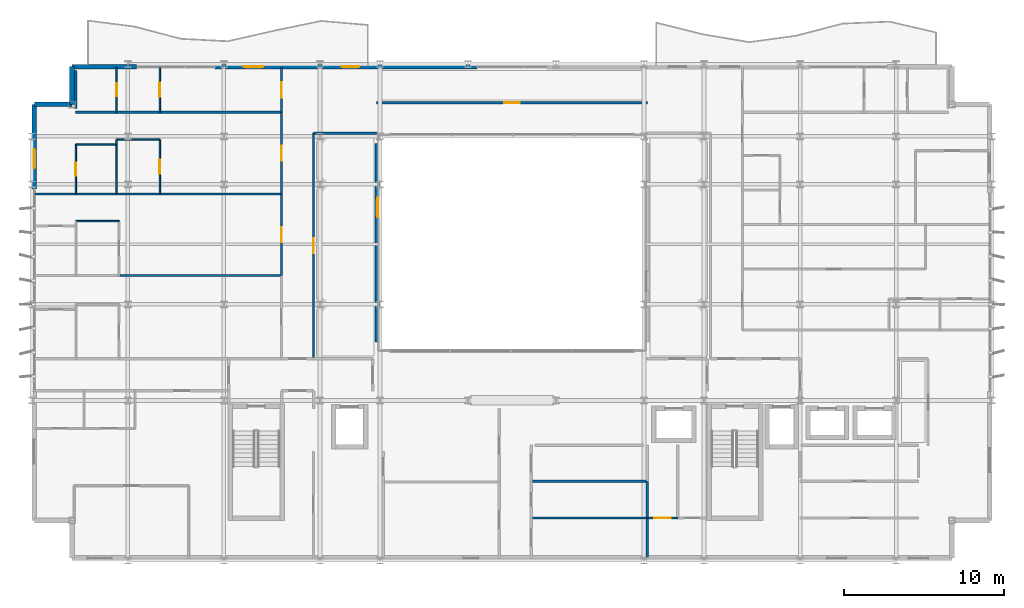
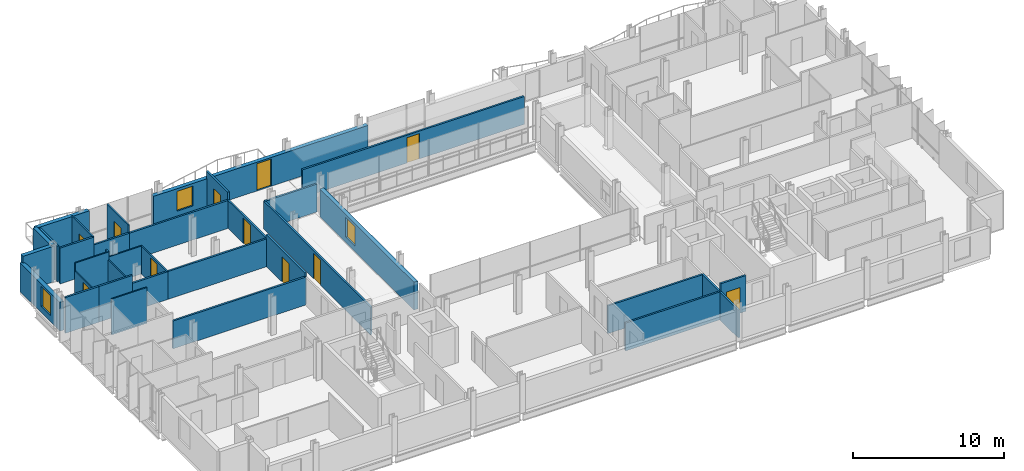
# One storey, part 31 of 39: 35 walls, 11 doors, 3 windows, 14 openings.
"""IFC4 building model written with IfcOpenShell, lengths in metres."""

import ifcopenshell
import ifcopenshell.guid

model = None  # the IFC model being written
_history = None  # IfcOwnerHistory: only IFC2X3 demands one
_inside = {}  # id of a spatial element -> (the spatial element, [elements in it])
_under = {}  # id of a project, library or spatial element -> (it, [spatial elements below it])
_declared = {}  # id of a project -> (the project, [libraries it declares])
_typed = {}  # id of a type object -> (the type object, [elements of that type])
_made_of = {}  # id of a material, layer set ... -> (it, [elements and type objects made of it])


def new_model(schema):
    """Start an empty IFC model of exactly this schema.

    Asked for "IFC4X3", IfcOpenShell would pick the latest addendum, in which some entities
    have other attributes; the version numbers below select the first issue.
    IFC2X3 requires an IfcOwnerHistory on every rooted entity: one is made here for all.
    """
    global model, _history
    if schema == "IFC4X3":
        model = ifcopenshell.file(schema_version=(4, 3, 0, 0))
    else:
        model = ifcopenshell.file(schema=schema)
    _inside.clear()
    _under.clear()
    _declared.clear()
    _typed.clear()
    _made_of.clear()
    _history = None
    if model.schema == "IFC2X3":
        org = make("IfcOrganization", Name="unknown")
        user = make(
            "IfcPersonAndOrganization",
            ThePerson=make("IfcPerson", FamilyName="unknown"),
            TheOrganization=org,
        )
        app = make(
            "IfcApplication",
            ApplicationDeveloper=org,
            Version="unknown",
            ApplicationFullName="unknown",
            ApplicationIdentifier="unknown",
        )
        _history = make(
            "IfcOwnerHistory",
            OwningUser=user,
            OwningApplication=app,
            ChangeAction="ADDED",
            CreationDate=0,
        )
    return model


def make(cls, **values):
    """One entity of the class cls with the attributes given. An attribute that is None is left unset."""
    return model.create_entity(
        cls, **{name: value for name, value in values.items() if value is not None}
    )


def rooted(cls, **values):
    """An entity with a GlobalId (a new one), such as an element, a storey or a relation."""
    return make(cls, GlobalId=ifcopenshell.guid.new(), OwnerHistory=_history, **values)


def si_unit(unit_type, name, prefix=None):
    """IfcSIUnit, for example si_unit("LENGTHUNIT", "METRE", prefix="MILLI")."""
    return make("IfcSIUnit", UnitType=unit_type, Prefix=prefix, Name=name)


def assignment(units):
    """IfcUnitAssignment: the units of a project."""
    return None if units is None else make("IfcUnitAssignment", Units=units)


def point(xyz):
    """IfcCartesianPoint."""
    return None if xyz is None else make("IfcCartesianPoint", Coordinates=xyz)


def direction(xyz):
    """IfcDirection."""
    return None if xyz is None else make("IfcDirection", DirectionRatios=xyz)


def frame(location, z_axis=None, x_axis=None):
    """IfcAxis2Placement3D, a coordinate frame: its origin and axes. An axis left out is left unset."""
    return make(
        "IfcAxis2Placement3D",
        Location=point(location),
        Axis=direction(z_axis),
        RefDirection=direction(x_axis),
    )


def frame_2d(location, x_axis=None):
    """IfcAxis2Placement2D, a coordinate frame in the plane: its origin and x axis."""
    return make(
        "IfcAxis2Placement2D", Location=point(location), RefDirection=direction(x_axis)
    )


def origin():
    """The frame at (0, 0, 0) with its axes left unset."""
    return frame((0.0, 0.0, 0.0))


def place(relative_to, where):
    """IfcLocalPlacement: puts the frame where relative to a parent placement (None: the world)."""
    return make(
        "IfcLocalPlacement", PlacementRelTo=relative_to, RelativePlacement=where
    )


def context(
    kind, dimensions, precision=None, world=None, true_north=None, identifier=None
):
    """IfcGeometricRepresentationContext, for example the 3D "Model" context."""
    return make(
        "IfcGeometricRepresentationContext",
        ContextIdentifier=identifier,
        ContextType=kind,
        CoordinateSpaceDimension=dimensions,
        Precision=precision,
        WorldCoordinateSystem=world,
        TrueNorth=true_north,
    )


def subcontext(parent, identifier, kind, view, scale=None):
    """IfcGeometricRepresentationSubContext, for example "Body" below "Model"."""
    return make(
        "IfcGeometricRepresentationSubContext",
        ContextIdentifier=identifier,
        ContextType=kind,
        ParentContext=parent,
        TargetScale=scale,
        TargetView=view,
    )


def project(units=None, contexts=None):
    """IfcProject with its units and contexts."""
    return rooted(
        "IfcProject",
        Name="project",
        RepresentationContexts=contexts,
        UnitsInContext=assignment(units),
    )


def spatial(cls, under=None, at=None, **own):
    """A site, building, storey or space (cls), placed at a placement, below another one or the project."""
    s = rooted(cls, ObjectPlacement=at, **own)
    if under is not None:
        _under.setdefault(under.id(), (under, []))[1].append(s)
    return s


def profile(cls, at=None, kind="AREA", **sizes):
    """A parametric profile (cls). Its sizes go by their IFC names, for example OverallWidth=200.0."""
    return make(cls, ProfileType=kind, Position=at, **sizes)


def rectangle(**sizes):
    """IfcRectangleProfileDef."""
    return profile("IfcRectangleProfileDef", **sizes)


def extrude(swept, where, along, depth):
    """IfcExtrudedAreaSolid: the profile swept, set in the frame where, extruded along a direction by depth."""
    return make(
        "IfcExtrudedAreaSolid",
        SweptArea=swept,
        Position=where,
        ExtrudedDirection=direction(along),
        Depth=depth,
    )


def shape(context_of_items, identifier, shape_type, items):
    """IfcShapeRepresentation: the items that make up one representation, for example the "Body"."""
    return make(
        "IfcShapeRepresentation",
        ContextOfItems=context_of_items,
        RepresentationIdentifier=identifier,
        RepresentationType=shape_type,
        Items=items,
    )


def material(Name=None, Category=None):
    """IfcMaterial."""
    return make("IfcMaterial", Name=Name, Category=Category)


def layer(
    of_material, thickness, ventilated=None, Name=None, Category=None, Priority=None
):
    """IfcMaterialLayer: one layer of a wall or slab, of a material (None: an air gap)."""
    return make(
        "IfcMaterialLayer",
        Material=of_material,
        LayerThickness=thickness,
        IsVentilated=ventilated,
        Name=Name,
        Category=Category,
        Priority=Priority,
    )


def layer_set(layers, Name=None):
    """IfcMaterialLayerSet."""
    return make("IfcMaterialLayerSet", MaterialLayers=layers, LayerSetName=Name)


def made_of(thing, what):
    """Note that an element or type object is made of a material, layer set ...; save() writes the relation."""
    if what is not None:
        _made_of.setdefault(what.id(), (what, []))[1].append(thing)
    return thing


def type_object(cls, material=None, **own):
    """A type object (cls), such as IfcWallType, which elements share."""
    return made_of(rooted(cls, **own), material)


def element(
    cls,
    number,
    at=None,
    inside=None,
    cuts=None,
    type_object=None,
    material=None,
    context=None,
    identifier="Body",
    shape_type=None,
    held_by="IfcProductDefinitionShape",
    body=None,
    shapes=None,
    **own,
):
    """One element of the class cls, such as IfcWall. Its Tag is "e" and its number.

    at: its placement. inside: the storey or other place that contains it. cuts: it is an
    opening in that element (IfcRelVoidsElement). A single representation is given by context,
    identifier, shape_type and body (its items); several are given by shapes. held_by: the class
    of the entity that holds the representations. save() writes the other relations.
    """
    e = rooted(cls, Tag="e%d" % number, ObjectPlacement=at, **own)
    if body is not None:
        shapes = [shape(context, identifier, shape_type, body)]
    if shapes is not None:
        e.Representation = make(held_by, Representations=shapes)
    if inside is not None:
        _inside.setdefault(inside.id(), (inside, []))[1].append(e)
    if cuts is not None:
        rooted(
            "IfcRelVoidsElement", RelatingBuildingElement=cuts, RelatedOpeningElement=e
        )
    if type_object is not None:
        _typed.setdefault(type_object.id(), (type_object, []))[1].append(e)
    return made_of(e, material)


def fill(opening, filler):
    """IfcRelFillsElement: the door or window that sits in an opening."""
    return rooted(
        "IfcRelFillsElement",
        RelatingOpeningElement=opening,
        RelatedBuildingElement=filler,
    )


def aggregate(whole, parts):
    """IfcRelAggregates: a whole, such as a stair, and the parts it consists of."""
    return rooted("IfcRelAggregates", RelatingObject=whole, RelatedObjects=parts)


def save(model, path):
    """Write the relations noted so far, then the file.

    IfcRelAggregates (storeys below a building ...), IfcRelContainedInSpatialStructure (elements
    in a storey), IfcRelDefinesByType, IfcRelAssociatesMaterial and IfcRelDeclares: one each for
    every whole, place, type object, material and project.
    """
    for whole, parts in _under.values():
        aggregate(whole, parts)
    for where, things in _inside.values():
        rooted(
            "IfcRelContainedInSpatialStructure",
            RelatedElements=things,
            RelatingStructure=where,
        )
    for kind, things in _typed.values():
        rooted("IfcRelDefinesByType", RelatedObjects=things, RelatingType=kind)
    for what, things in _made_of.values():
        rooted("IfcRelAssociatesMaterial", RelatedObjects=things, RelatingMaterial=what)
    for by, libraries in _declared.values():
        rooted("IfcRelDeclares", RelatingContext=by, RelatedDefinitions=libraries)
    model.write(path)


model = new_model("IFC4")

# Units and contexts
model_context = context("Model", 3, precision=1e-05, world=origin(), true_north=direction((0.0, 1.0)))
body_context = subcontext(model_context, "Body", "Model", "MODEL_VIEW")
ifc_project = project(units=[si_unit("LENGTHUNIT", "METRE"), si_unit("AREAUNIT", "SQUARE_METRE"), si_unit("VOLUMEUNIT", "CUBIC_METRE"), si_unit("PLANEANGLEUNIT", "RADIAN"), si_unit("MASSUNIT", "GRAM", prefix="KILO")], contexts=[model_context])

# Site, building, storey
site_placement = place(None, origin())
site = spatial("IfcSite", under=ifc_project, at=site_placement, CompositionType="ELEMENT")
building_placement = place(site_placement, origin())
building = spatial("IfcBuilding", under=site, at=building_placement, Name="Brevholm Reach", CompositionType="ELEMENT")
storey_placement = place(building_placement, frame((0.0, 0.0, 154.199951171875)))
storey = spatial("IfcBuildingStorey", under=building, at=storey_placement, Name="L46", CompositionType="ELEMENT", Elevation=154.199951171875)

# Walls
ifc_material_1 = material(Name="Concrete C40/50", Category="concrete")
ifc_layer_1 = layer(ifc_material_1, 0.300048828125)
ifc_layer_set_1 = layer_set([ifc_layer_1], Name="Concrete C40/50")
wall_type_1 = type_object("IfcWallType", Name="WAL-EXT-300", PredefinedType="STANDARD", material=ifc_layer_set_1)
for number, where, z_axis, x_axis, name in (
    (1, (2.5, 30.85009765625, 0.0), (0.0, 0.0, 1.0), (0.0, -1.0, 0.0), "L46 Facade Wall WAL-L46-CNW1"),
    (2, (2.5, 28.5, 0.0), (0.0, 0.0, 1.0), (-1.0, 0.0, 0.0), "L46 Facade Wall WAL-L46-CNW2"),
):
    element("IfcWall", number, at=place(storey_placement, frame(where, z_axis=z_axis, x_axis=x_axis)), inside=storey, type_object=wall_type_1, Name=name, PredefinedType="STANDARD", context=body_context, shape_type="SweptSolid", body=[
        extrude(rectangle(XDim=2.35009765625, YDim=0.300048828125, at=frame_2d((1.175048828125, 0.0))), origin(), (0.0, 0.0, 1.0), 2.880126953125),
    ])

# Wall, opening, window
wall_1_placement = place(storey_placement, frame((0.14990234375, 28.5, 0.0), z_axis=(0.0, 0.0, 1.0), x_axis=(0.0, -1.0, 0.0)))
wall_1 = element("IfcWall", 3, at=wall_1_placement, inside=storey, type_object=wall_type_1, Name="L46 Facade Wall WAL-L46-W-N", PredefinedType="STANDARD", context=body_context, shape_type="SweptSolid", body=[
    extrude(rectangle(XDim=5.280029296875, YDim=0.300048828125, at=frame_2d((2.64013671875, 0.0))), origin(), (0.0, 0.0, 1.0), 2.322021484375),
])
opening_1_placement = place(wall_1_placement, frame((2.800048828125, 0.0, 0.501953125)))
opening_1 = element("IfcOpeningElement", 4, at=opening_1_placement, cuts=wall_1, Name="Opening WN-08", PredefinedType="OPENING", context=body_context, shape_type="SweptSolid", body=[
    extrude(rectangle(XDim=1.199951171875, YDim=1.60009765625, at=frame_2d((0.60009765625, 0.800048828125))), frame((0.0, 0.159912109375, 0.0), z_axis=(0.0, -1.0, 0.0), x_axis=(1.0, 0.0, 0.0)), (0.0, 0.0, 1.0), 0.320068359375),
])
ifc_material_2 = material(Name="Dark Anodised Aluminium and Solar-Control IGU Glass", Category="aluminium")
window_type = type_object("IfcWindowType", Name="WIN-RES-1200", PartitioningType="SINGLE_PANEL", PredefinedType="WINDOW", material=ifc_material_2)
window_1_placement = place(opening_1_placement, origin())
window_1 = element("IfcWindow", 5, at=window_1_placement, inside=storey, type_object=window_type, Name="L46 Window WIN-L46-WN-1", OverallHeight=1.60009765625, OverallWidth=1.199951171875, PartitioningType="SINGLE_PANEL", PredefinedType="WINDOW", context=body_context, shape_type="SweptSolid", body=[
    extrude(rectangle(XDim=1.199951171875, YDim=1.60009765625, at=frame_2d((0.60009765625, 0.800048828125))), frame((0.0, 0.030029296875, 0.0), z_axis=(0.0, -1.0, 0.0), x_axis=(1.0, 0.0, 0.0)), (0.0, 0.0, 1.0), 0.06005859375),
])
fill(opening_1, window_1)

# Wall
wall_2_placement = place(storey_placement, frame((2.5, 30.85009765625, 0.0), z_axis=(0.0, 0.0, 1.0), x_axis=(1.0, 0.0, 0.0)))
element("IfcWall", 6, at=wall_2_placement, inside=storey, type_object=wall_type_1, Name="L46 Facade Wall WAL-L46-NP-W0", PredefinedType="STANDARD", context=body_context, shape_type="SweptSolid", body=[
    extrude(rectangle(XDim=4.050048828125, YDim=0.300048828125, at=frame_2d((2.02490234375, 0.0))), origin(), (0.0, 0.0, 1.0), 2.880126953125),
])

# Wall, openings, door, window
wall_3_placement = place(storey_placement, frame((11.449951171875, 30.85009765625, 0.0), z_axis=(0.0, 0.0, 1.0), x_axis=(1.0, 0.0, 0.0)))
wall_3 = element("IfcWall", 7, at=wall_3_placement, inside=storey, type_object=wall_type_1, Name="L46 Facade Wall WAL-L46-NP-WL", PredefinedType="STANDARD", context=body_context, shape_type="SweptSolid", body=[
    extrude(rectangle(XDim=16.35009765625, YDim=0.300048828125, at=frame_2d((8.175048828125, 0.0))), origin(), (0.0, 0.0, 1.0), 2.322021484375),
])
opening_2_placement = place(wall_3_placement, frame((7.89794921875, 0.0, 0.0)))
opening_2 = element("IfcOpeningElement", 8, at=opening_2_placement, cuts=wall_3, Name="Opening BD-01", PredefinedType="OPENING", context=body_context, shape_type="SweptSolid", body=[
    extrude(rectangle(XDim=1.10009765625, YDim=2.199951171875, at=frame_2d((0.550048828125, 1.10009765625))), frame((0.0, 0.159912109375, 0.0), z_axis=(0.0, -1.0, 0.0), x_axis=(1.0, 0.0, 0.0)), (0.0, 0.0, 1.0), 0.320068359375),
])
opening_3_placement = place(wall_3_placement, frame((1.800048828125, 0.0, 0.501953125)))
opening_3 = element("IfcOpeningElement", 9, at=opening_3_placement, cuts=wall_3, Name="Opening WN-08", PredefinedType="OPENING", context=body_context, shape_type="SweptSolid", body=[
    extrude(rectangle(XDim=1.199951171875, YDim=1.60009765625, at=frame_2d((0.60009765625, 0.800048828125))), frame((0.0, 0.159912109375, 0.0), z_axis=(0.0, -1.0, 0.0), x_axis=(1.0, 0.0, 0.0)), (0.0, 0.0, 1.0), 0.320068359375),
])
ifc_material_3 = material(Name="Dark Anodised Aluminium and Triple-Glazed Glass", Category="aluminium")
door_type_1 = type_object("IfcDoorType", Name="DOR-BALC-1100", OperationType="NOTDEFINED", PredefinedType="DOOR", material=ifc_material_3)
door_1_placement = place(opening_2_placement, origin())
door_1 = element("IfcDoor", 10, at=door_1_placement, inside=storey, type_object=door_type_1, Name="L46 Exterior Door DOR-L46-BL-NW", OperationType="SINGLE_SWING_RIGHT", OverallHeight=2.199951171875, OverallWidth=1.10009765625, PredefinedType="DOOR", context=body_context, shape_type="SweptSolid", body=[
    extrude(rectangle(XDim=1.10009765625, YDim=2.199951171875, at=frame_2d((0.550048828125, 1.10009765625))), frame((0.0, 0.02490234375, 0.0), z_axis=(0.0, -1.0, 0.0), x_axis=(1.0, 0.0, 0.0)), (0.0, 0.0, 1.0), 0.050048828125),
])
fill(opening_2, door_1)
window_2_placement = place(opening_3_placement, origin())
window_2 = element("IfcWindow", 11, at=window_2_placement, inside=storey, type_object=window_type, Name="L46 Window WIN-L46-NP-WL1", OverallHeight=1.60009765625, OverallWidth=1.199951171875, PartitioningType="SINGLE_PANEL", PredefinedType="WINDOW", context=body_context, shape_type="SweptSolid", body=[
    extrude(rectangle(XDim=1.199951171875, YDim=1.60009765625, at=frame_2d((0.60009765625, 0.800048828125))), frame((0.0, 0.030029296875, 0.0), z_axis=(0.0, -1.0, 0.0), x_axis=(1.0, 0.0, 0.0)), (0.0, 0.0, 1.0), 0.06005859375),
])
fill(opening_3, window_2)

# Wall, opening, window
wall_4_placement = place(storey_placement, frame((21.60009765625, 26.050048828125, 0.0), z_axis=(0.0, 0.0, 1.0), x_axis=(0.0, -1.0, 0.0)))
wall_4 = element("IfcWall", 12, at=wall_4_placement, inside=storey, type_object=wall_type_1, Name="L46 Facade Wall WAL-L46-AT-W", PredefinedType="STANDARD", context=body_context, shape_type="SweptSolid", body=[
    extrude(rectangle(XDim=12.400146484375, YDim=0.300048828125, at=frame_2d((6.2001953125, 0.0))), origin(), (0.0, 0.0, 1.0), 2.242919921875),
])
opening_4_placement = place(wall_4_placement, frame((3.39990234375, 0.0, 0.423095703125)))
opening_4 = element("IfcOpeningElement", 13, at=opening_4_placement, cuts=wall_4, Name="Opening WN-08", PredefinedType="OPENING", context=body_context, shape_type="SweptSolid", body=[
    extrude(rectangle(XDim=1.199951171875, YDim=1.60009765625, at=frame_2d((0.60009765625, 0.800048828125))), frame((0.0, 0.159912109375, 0.0), z_axis=(0.0, -1.0, 0.0), x_axis=(1.0, 0.0, 0.0)), (0.0, 0.0, 1.0), 0.320068359375),
])
window_3_placement = place(opening_4_placement, origin())
window_3 = element("IfcWindow", 14, at=window_3_placement, inside=storey, type_object=window_type, Name="L46 Window WIN-L46-AT-W1", OverallHeight=1.60009765625, OverallWidth=1.199951171875, PartitioningType="SINGLE_PANEL", PredefinedType="WINDOW", context=body_context, shape_type="SweptSolid", body=[
    extrude(rectangle(XDim=1.199951171875, YDim=1.60009765625, at=frame_2d((0.60009765625, 0.800048828125))), frame((0.0, 0.030029296875, 0.0), z_axis=(0.0, -1.0, 0.0), x_axis=(1.0, 0.0, 0.0)), (0.0, 0.0, 1.0), 0.06005859375),
])
fill(opening_4, window_3)

# Walls
ifc_material_4 = material(Name="Moisture-Resistant Acoustic Gypsum Stud Partition 100 mm", Category="gypsum")
ifc_layer_2 = layer(ifc_material_4, 0.10009765625)
ifc_layer_set_2 = layer_set([ifc_layer_2], Name="Moisture-Resistant Acoustic Gypsum Stud Partition 100 mm")
wall_type_2 = type_object("IfcWallType", Name="WAL-PRT-100", PredefinedType="PARTITIONING", material=ifc_layer_set_2)
wall_5_placement = place(storey_placement, frame((2.75, 21.199951171875, 0.0), z_axis=(0.0, 0.0, 1.0), x_axis=(1.0, 0.0, 0.0)))
element("IfcWall", 15, at=wall_5_placement, inside=storey, type_object=wall_type_2, Name="L46 Internal Partition 080", PredefinedType="PARTITIONING", context=body_context, shape_type="SweptSolid", body=[
    extrude(rectangle(XDim=2.699951171875, YDim=0.10009765625, at=frame_2d((1.35009765625, 0.0))), origin(), (0.0, 0.0, 1.0), 2.880126953125),
])
wall_6_placement = place(storey_placement, frame((5.300048828125, 22.904052734375, 0.0), z_axis=(0.0, 0.0, 1.0), x_axis=(0.0, 1.0, 0.0)))
element("IfcWall", 16, at=wall_6_placement, inside=storey, type_object=wall_type_2, Name="L46 Internal Partition 086", PredefinedType="PARTITIONING", context=body_context, shape_type="SweptSolid", body=[
    extrude(rectangle(XDim=3.095947265625, YDim=0.10009765625, at=frame_2d((1.5478515625, 0.0))), origin(), (0.0, 0.0, 1.0), 2.242919921875),
])
wall_7_placement = place(storey_placement, frame((2.75, 26.0, 0.0), z_axis=(0.0, 0.0, 1.0), x_axis=(1.0, 0.0, 0.0)))
element("IfcWall", 17, at=wall_7_placement, inside=storey, type_object=wall_type_2, Name="L46 Internal Partition 087", PredefinedType="PARTITIONING", context=body_context, shape_type="SweptSolid", body=[
    extrude(rectangle(XDim=2.550048828125, YDim=0.10009765625, at=frame_2d((1.27490234375, 0.0))), origin(), (0.0, 0.0, 1.0), 2.880126953125),
])

# Wall, opening, door
wall_8_placement = place(storey_placement, frame((2.75, 22.904052734375, 0.0), z_axis=(0.0, 0.0, 1.0), x_axis=(0.0, 1.0, 0.0)))
wall_8 = element("IfcWall", 18, at=wall_8_placement, inside=storey, type_object=wall_type_2, Name="L46 Internal Partition 088", PredefinedType="PARTITIONING", context=body_context, shape_type="SweptSolid", body=[
    extrude(rectangle(XDim=3.095947265625, YDim=0.10009765625, at=frame_2d((1.5478515625, 0.0))), origin(), (0.0, 0.0, 1.0), 2.242919921875),
])
opening_5_placement = place(wall_8_placement, frame((1.137939453125, 0.0, 0.0)))
opening_5 = element("IfcOpeningElement", 19, at=opening_5_placement, cuts=wall_8, Name="Opening ID-03", PredefinedType="OPENING", context=body_context, shape_type="SweptSolid", body=[
    extrude(rectangle(XDim=0.820068359375, YDim=2.02001953125, at=frame_2d((0.41015625, 1.010009765625))), frame((0.0, 0.06005859375, 0.0), z_axis=(0.0, -1.0, 0.0), x_axis=(1.0, 0.0, 0.0)), (0.0, 0.0, 1.0), 0.1201171875),
])
ifc_material_5 = material(Name="Moisture-Resistant Painted Timber Internal Bathroom Door", Category="wood")
door_type_2 = type_object("IfcDoorType", Name="DOR-BATH-820", OperationType="NOTDEFINED", PredefinedType="DOOR", material=ifc_material_5)
door_2_placement = place(opening_5_placement, origin())
door_2 = element("IfcDoor", 20, at=door_2_placement, inside=storey, type_object=door_type_2, Name="L46 Internal Door 038", OperationType="SINGLE_SWING_RIGHT", OverallHeight=2.02001953125, OverallWidth=0.820068359375, PredefinedType="DOOR", context=body_context, shape_type="SweptSolid", body=[
    extrude(rectangle(XDim=0.820068359375, YDim=2.02001953125, at=frame_2d((0.41015625, 1.010009765625))), frame((0.0, 0.02490234375, 0.0), z_axis=(0.0, -1.0, 0.0), x_axis=(1.0, 0.0, 0.0)), (0.0, 0.0, 1.0), 0.050048828125),
])
fill(opening_5, door_2)

wall_9_placement = place(storey_placement, frame((8.0, 22.904052734375, 0.0), z_axis=(0.0, 0.0, 1.0), x_axis=(0.0, 1.0, 0.0)))
wall_9 = element("IfcWall", 21, at=wall_9_placement, inside=storey, type_object=wall_type_2, Name="L46 Internal Partition 089", PredefinedType="PARTITIONING", context=body_context, shape_type="SweptSolid", body=[
    extrude(rectangle(XDim=3.39599609375, YDim=0.10009765625, at=frame_2d((1.697998046875, 0.0))), origin(), (0.0, 0.0, 1.0), 2.242919921875),
])
opening_6_placement = place(wall_9_placement, frame((1.258056640625, 0.0, 0.0)))
opening_6 = element("IfcOpeningElement", 22, at=opening_6_placement, cuts=wall_9, Name="Opening ID-01", PredefinedType="OPENING", context=body_context, shape_type="SweptSolid", body=[
    extrude(rectangle(XDim=0.8798828125, YDim=2.0400390625, at=frame_2d((0.43994140625, 1.02001953125))), frame((0.0, 0.06005859375, 0.0), z_axis=(0.0, -1.0, 0.0), x_axis=(1.0, 0.0, 0.0)), (0.0, 0.0, 1.0), 0.1201171875),
])
ifc_material_6 = material(Name="Lacquered Ash Solid-Core Acoustic Internal Door", Category="timber")
door_type_3 = type_object("IfcDoorType", Name="DOR-INT-880", OperationType="NOTDEFINED", PredefinedType="DOOR", material=ifc_material_6)
door_3_placement = place(opening_6_placement, origin())
door_3 = element("IfcDoor", 23, at=door_3_placement, inside=storey, type_object=door_type_3, Name="L46 Internal Door 039", OperationType="SINGLE_SWING_LEFT", OverallHeight=2.0400390625, OverallWidth=0.8798828125, PredefinedType="DOOR", context=body_context, shape_type="SweptSolid", body=[
    extrude(rectangle(XDim=0.8798828125, YDim=2.0400390625, at=frame_2d((0.43994140625, 1.02001953125))), frame((0.0, 0.02490234375, 0.0), z_axis=(0.0, -1.0, 0.0), x_axis=(1.0, 0.0, 0.0)), (0.0, 0.0, 1.0), 0.050048828125),
])
fill(opening_6, door_3)

# Walls
wall_10_placement = place(storey_placement, frame((5.300048828125, 26.300048828125, 0.0), z_axis=(0.0, 0.0, 1.0), x_axis=(1.0, 0.0, 0.0)))
element("IfcWall", 24, at=wall_10_placement, inside=storey, type_object=wall_type_2, Name="L46 Internal Partition 090", PredefinedType="PARTITIONING", context=body_context, shape_type="SweptSolid", body=[
    extrude(rectangle(XDim=2.699951171875, YDim=0.10009765625, at=frame_2d((1.35009765625, 0.0))), origin(), (0.0, 0.0, 1.0), 2.242919921875),
])
wall_11_placement = place(storey_placement, frame((5.300048828125, 26.00390625, 0.0), z_axis=(0.0, 0.0, 1.0), x_axis=(0.0, 1.0, 0.0)))
element("IfcWall", 25, at=wall_11_placement, inside=storey, type_object=wall_type_2, Name="L46 Internal Partition 091", PredefinedType="PARTITIONING", context=body_context, shape_type="SweptSolid", body=[
    extrude(rectangle(XDim=0.296142578125, YDim=0.10009765625, at=frame_2d((0.14794921875, 0.0))), origin(), (0.0, 0.0, 1.0), 2.880126953125),
])

# Wall, opening, door
wall_12_placement = place(storey_placement, frame((5.300048828125, 28.00390625, 0.0), z_axis=(0.0, 0.0, 1.0), x_axis=(0.0, 1.0, 0.0)))
wall_12 = element("IfcWall", 26, at=wall_12_placement, inside=storey, type_object=wall_type_2, Name="L46 Internal Partition 114", PredefinedType="PARTITIONING", context=body_context, shape_type="SweptSolid", body=[
    extrude(rectangle(XDim=2.796142578125, YDim=0.10009765625, at=frame_2d((1.39794921875, 0.0))), origin(), (0.0, 0.0, 1.0), 2.880126953125),
])
opening_7_placement = place(wall_12_placement, frame((0.988037109375, 0.0, 0.0)))
opening_7 = element("IfcOpeningElement", 27, at=opening_7_placement, cuts=wall_12, Name="Opening ID-03", PredefinedType="OPENING", context=body_context, shape_type="SweptSolid", body=[
    extrude(rectangle(XDim=0.820068359375, YDim=2.02001953125, at=frame_2d((0.41015625, 1.010009765625))), frame((0.0, 0.06005859375, 0.0), z_axis=(0.0, -1.0, 0.0), x_axis=(1.0, 0.0, 0.0)), (0.0, 0.0, 1.0), 0.1201171875),
])
door_4_placement = place(opening_7_placement, origin())
door_4 = element("IfcDoor", 28, at=door_4_placement, inside=storey, type_object=door_type_2, Name="L46 Access Door 049", OperationType="SINGLE_SWING_LEFT", OverallHeight=2.02001953125, OverallWidth=0.820068359375, PredefinedType="DOOR", context=body_context, shape_type="SweptSolid", body=[
    extrude(rectangle(XDim=0.820068359375, YDim=2.02001953125, at=frame_2d((0.41015625, 1.010009765625))), frame((0.0, 0.02490234375, 0.0), z_axis=(0.0, -1.0, 0.0), x_axis=(1.0, 0.0, 0.0)), (0.0, 0.0, 1.0), 0.050048828125),
])
fill(opening_7, door_4)

wall_13_placement = place(storey_placement, frame((8.0, 28.00390625, 0.0), z_axis=(0.0, 0.0, 1.0), x_axis=(0.0, 1.0, 0.0)))
wall_13 = element("IfcWall", 29, at=wall_13_placement, inside=storey, type_object=wall_type_2, Name="L46 Internal Partition 115", PredefinedType="PARTITIONING", context=body_context, shape_type="SweptSolid", body=[
    extrude(rectangle(XDim=2.796142578125, YDim=0.10009765625, at=frame_2d((1.39794921875, 0.0))), origin(), (0.0, 0.0, 1.0), 2.880126953125),
])
opening_8_placement = place(wall_13_placement, frame((0.9580078125, 0.0, 0.0)))
opening_8 = element("IfcOpeningElement", 30, at=opening_8_placement, cuts=wall_13, Name="Opening ID-01", PredefinedType="OPENING", context=body_context, shape_type="SweptSolid", body=[
    extrude(rectangle(XDim=0.8798828125, YDim=2.0400390625, at=frame_2d((0.43994140625, 1.02001953125))), frame((0.0, 0.06005859375, 0.0), z_axis=(0.0, -1.0, 0.0), x_axis=(1.0, 0.0, 0.0)), (0.0, 0.0, 1.0), 0.1201171875),
])
door_5_placement = place(opening_8_placement, origin())
door_5 = element("IfcDoor", 31, at=door_5_placement, inside=storey, type_object=door_type_3, Name="L46 Internal Door 046", OperationType="SINGLE_SWING_RIGHT", OverallHeight=2.0400390625, OverallWidth=0.8798828125, PredefinedType="DOOR", context=body_context, shape_type="SweptSolid", body=[
    extrude(rectangle(XDim=0.8798828125, YDim=2.0400390625, at=frame_2d((0.43994140625, 1.02001953125))), frame((0.0, 0.02490234375, 0.0), z_axis=(0.0, -1.0, 0.0), x_axis=(1.0, 0.0, 0.0)), (0.0, 0.0, 1.0), 0.050048828125),
])
fill(opening_8, door_5)

# Walls
ifc_material_7 = material(Name="Twin-Stud Acoustic Fire-Rated Gypsum Partition 140 mm", Category="gypsum")
ifc_layer_3 = layer(ifc_material_7, 0.139892578125)
ifc_layer_set_3 = layer_set([ifc_layer_3], Name="Twin-Stud Acoustic Fire-Rated Gypsum Partition 140 mm")
wall_type_3 = type_object("IfcWallType", Name="WAL-PRT-140", PredefinedType="PARTITIONING", material=ifc_layer_set_3)
wall_14_placement = place(storey_placement, frame((31.2041015625, 2.64990234375, 0.0), z_axis=(0.0, 0.0, 1.0), x_axis=(1.0, 0.0, 0.0)))
element("IfcWall", 32, at=wall_14_placement, inside=storey, type_object=wall_type_3, Name="L46 Internal Partition 009", PredefinedType="PARTITIONING", context=body_context, shape_type="SweptSolid", body=[
    extrude(rectangle(XDim=7.245849609375, YDim=0.139892578125, at=frame_2d((3.623046875, 0.0))), origin(), (0.0, 0.0, 1.0), 2.242919921875),
])
wall_15_placement = place(storey_placement, frame((38.449951171875, 0.179931640625, 0.0), z_axis=(0.0, 0.0, 1.0), x_axis=(0.0, 1.0, 0.0)))
element("IfcWall", 33, at=wall_15_placement, inside=storey, type_object=wall_type_3, Name="L46 Internal Partition 010", PredefinedType="PARTITIONING", context=body_context, shape_type="SweptSolid", body=[
    extrude(rectangle(XDim=2.469970703125, YDim=0.139892578125, at=frame_2d((1.23486328125, 0.0))), origin(), (0.0, 0.0, 1.0), 2.242919921875),
])
wall_16_placement = place(storey_placement, frame((31.2041015625, 4.949951171875, 0.0), z_axis=(0.0, 0.0, 1.0), x_axis=(1.0, 0.0, 0.0)))
element("IfcWall", 34, at=wall_16_placement, inside=storey, type_object=wall_type_3, Name="L46 Internal Partition 011", PredefinedType="PARTITIONING", context=body_context, shape_type="SweptSolid", body=[
    extrude(rectangle(XDim=7.245849609375, YDim=0.139892578125, at=frame_2d((3.623046875, 0.0))), origin(), (0.0, 0.0, 1.0), 2.242919921875),
])
wall_17_placement = place(storey_placement, frame((38.449951171875, 2.654052734375, 0.0), z_axis=(0.0, 0.0, 1.0), x_axis=(0.0, 1.0, 0.0)))
element("IfcWall", 35, at=wall_17_placement, inside=storey, type_object=wall_type_3, Name="L46 Internal Partition 012", PredefinedType="PARTITIONING", context=body_context, shape_type="SweptSolid", body=[
    extrude(rectangle(XDim=2.2958984375, YDim=0.139892578125, at=frame_2d((1.14794921875, 0.0))), origin(), (0.0, 0.0, 1.0), 2.242919921875),
])

# Wall, opening, door
wall_18_placement = place(storey_placement, frame((38.4541015625, 2.64990234375, 0.0), z_axis=(0.0, 0.0, 1.0), x_axis=(1.0, 0.0, 0.0)))
wall_18 = element("IfcWall", 36, at=wall_18_placement, inside=storey, type_object=wall_type_3, Name="L46 Internal Partition 015", PredefinedType="PARTITIONING", context=body_context, shape_type="SweptSolid", body=[
    extrude(rectangle(XDim=1.9072265625, YDim=0.139892578125, at=frame_2d((0.95361328125, 0.0))), origin(), (0.0, 0.0, 1.0), 2.880126953125),
])
opening_9_placement = place(wall_18_placement, frame((0.4287109375, 0.0, 0.0)))
opening_9 = element("IfcOpeningElement", 37, at=opening_9_placement, cuts=wall_18, Name="Opening FD-01", PredefinedType="OPENING", context=body_context, shape_type="SweptSolid", body=[
    extrude(rectangle(XDim=1.050048828125, YDim=2.06005859375, at=frame_2d((0.52490234375, 1.030029296875))), frame((0.0, 0.079833984375, 0.0), z_axis=(0.0, -1.0, 0.0), x_axis=(1.0, 0.0, 0.0)), (0.0, 0.0, 1.0), 0.159912109375),
])
ifc_material_8 = material(Name="Hardwood-Lipped Steel-Core Fire and Smoke Door", Category="steel")
door_type_4 = type_object("IfcDoorType", Name="DOR-INT-FD60S", OperationType="NOTDEFINED", PredefinedType="DOOR", material=ifc_material_8)
door_6_placement = place(opening_9_placement, origin())
door_6 = element("IfcDoor", 38, at=door_6_placement, inside=storey, type_object=door_type_4, Name="L46 Internal Door 008", OperationType="SINGLE_SWING_RIGHT", OverallHeight=2.06005859375, OverallWidth=1.050048828125, PredefinedType="DOOR", context=body_context, shape_type="SweptSolid", body=[
    extrude(rectangle(XDim=1.050048828125, YDim=2.06005859375, at=frame_2d((0.52490234375, 1.030029296875))), frame((0.0, 0.02490234375, 0.0), z_axis=(0.0, -1.0, 0.0), x_axis=(1.0, 0.0, 0.0)), (0.0, 0.0, 1.0), 0.050048828125),
])
fill(opening_9, door_6)

wall_19_placement = place(storey_placement, frame((15.60009765625, 17.792724609375, 0.0), z_axis=(0.0, 0.0, 1.0), x_axis=(0.0, 1.0, 0.0)))
wall_19 = element("IfcWall", 39, at=wall_19_placement, inside=storey, type_object=wall_type_3, Name="L46 Internal Partition 039", PredefinedType="PARTITIONING", context=body_context, shape_type="SweptSolid", body=[
    extrude(rectangle(XDim=5.11865234375, YDim=0.139892578125, at=frame_2d((2.559326171875, 0.0))), origin(), (0.0, 0.0, 1.0), 2.5517578125),
])
opening_10_placement = place(wall_19_placement, frame((2.084228515625, 0.0, 0.0)))
opening_10 = element("IfcOpeningElement", 40, at=opening_10_placement, cuts=wall_19, Name="Opening ID-30", PredefinedType="OPENING", context=body_context, shape_type="SweptSolid", body=[
    extrude(rectangle(XDim=0.949951171875, YDim=2.050048828125, at=frame_2d((0.47509765625, 1.02490234375))), frame((0.0, 0.079833984375, 0.0), z_axis=(0.0, -1.0, 0.0), x_axis=(1.0, 0.0, 0.0)), (0.0, 0.0, 1.0), 0.159912109375),
])
ifc_material_9 = material(Name="European Oak Veneered Solid-Core Fire Entrance Door", Category="timber")
door_type_5 = type_object("IfcDoorType", Name="DOR-FLT-FD30S", OperationType="NOTDEFINED", PredefinedType="DOOR", material=ifc_material_9)
door_7_placement = place(opening_10_placement, origin())
door_7 = element("IfcDoor", 41, at=door_7_placement, inside=storey, type_object=door_type_5, Name="L46 Internal Door 022", OperationType="SINGLE_SWING_RIGHT", OverallHeight=2.050048828125, OverallWidth=0.949951171875, PredefinedType="DOOR", context=body_context, shape_type="SweptSolid", body=[
    extrude(rectangle(XDim=0.949951171875, YDim=2.050048828125, at=frame_2d((0.47509765625, 1.02490234375))), frame((0.0, 0.02490234375, 0.0), z_axis=(0.0, -1.0, 0.0), x_axis=(1.0, 0.0, 0.0)), (0.0, 0.0, 1.0), 0.050048828125),
])
fill(opening_10, door_7)

wall_20_placement = place(storey_placement, frame((15.60009765625, 22.892578125, 0.0), z_axis=(0.0, 0.0, 1.0), x_axis=(0.0, 1.0, 0.0)))
wall_20 = element("IfcWall", 42, at=wall_20_placement, inside=storey, type_object=wall_type_3, Name="L46 Internal Partition 040", PredefinedType="PARTITIONING", context=body_context, shape_type="SweptSolid", body=[
    extrude(rectangle(XDim=5.11865234375, YDim=0.139892578125, at=frame_2d((2.559326171875, 0.0))), origin(), (0.0, 0.0, 1.0), 2.242919921875),
])
opening_11_placement = place(wall_20_placement, frame((2.084228515625, 0.0, 0.0)))
opening_11 = element("IfcOpeningElement", 43, at=opening_11_placement, cuts=wall_20, Name="Opening ID-30", PredefinedType="OPENING", context=body_context, shape_type="SweptSolid", body=[
    extrude(rectangle(XDim=0.949951171875, YDim=2.050048828125, at=frame_2d((0.47509765625, 1.02490234375))), frame((0.0, 0.079833984375, 0.0), z_axis=(0.0, -1.0, 0.0), x_axis=(1.0, 0.0, 0.0)), (0.0, 0.0, 1.0), 0.159912109375),
])
door_8_placement = place(opening_11_placement, origin())
door_8 = element("IfcDoor", 44, at=door_8_placement, inside=storey, type_object=door_type_5, Name="L46 Internal Door 023", OperationType="SINGLE_SWING_LEFT", OverallHeight=2.050048828125, OverallWidth=0.949951171875, PredefinedType="DOOR", context=body_context, shape_type="SweptSolid", body=[
    extrude(rectangle(XDim=0.949951171875, YDim=2.050048828125, at=frame_2d((0.47509765625, 1.02490234375))), frame((0.0, 0.02490234375, 0.0), z_axis=(0.0, -1.0, 0.0), x_axis=(1.0, 0.0, 0.0)), (0.0, 0.0, 1.0), 0.050048828125),
])
fill(opening_11, door_8)

wall_21_placement = place(storey_placement, frame((17.60009765625, 12.60400390625, 0.0), z_axis=(0.0, 0.0, 1.0), x_axis=(0.0, 1.0, 0.0)))
wall_21 = element("IfcWall", 45, at=wall_21_placement, inside=storey, type_object=wall_type_3, Name="L46 Internal Partition 041", PredefinedType="PARTITIONING", context=body_context, shape_type="SweptSolid", body=[
    extrude(rectangle(XDim=14.103271484375, YDim=0.139892578125, at=frame_2d((7.0517578125, 0.0))), origin(), (0.0, 0.0, 1.0), 2.242919921875),
])
opening_12_placement = place(wall_21_placement, frame((6.57666015625, 0.0, 0.0)))
opening_12 = element("IfcOpeningElement", 46, at=opening_12_placement, cuts=wall_21, Name="Opening ID-30", PredefinedType="OPENING", context=body_context, shape_type="SweptSolid", body=[
    extrude(rectangle(XDim=0.949951171875, YDim=2.050048828125, at=frame_2d((0.47509765625, 1.02490234375))), frame((0.0, 0.079833984375, 0.0), z_axis=(0.0, -1.0, 0.0), x_axis=(1.0, 0.0, 0.0)), (0.0, 0.0, 1.0), 0.159912109375),
])
door_9_placement = place(opening_12_placement, origin())
door_9 = element("IfcDoor", 47, at=door_9_placement, inside=storey, type_object=door_type_5, Name="L46 Internal Door 024", OperationType="SINGLE_SWING_RIGHT", OverallHeight=2.050048828125, OverallWidth=0.949951171875, PredefinedType="DOOR", context=body_context, shape_type="SweptSolid", body=[
    extrude(rectangle(XDim=0.949951171875, YDim=2.050048828125, at=frame_2d((0.47509765625, 1.02490234375))), frame((0.0, 0.02490234375, 0.0), z_axis=(0.0, -1.0, 0.0), x_axis=(1.0, 0.0, 0.0)), (0.0, 0.0, 1.0), 0.050048828125),
])
fill(opening_12, door_9)

wall_22_placement = place(storey_placement, frame((15.60009765625, 27.99267578125, 0.0), z_axis=(0.0, 0.0, 1.0), x_axis=(0.0, 1.0, 0.0)))
wall_22 = element("IfcWall", 48, at=wall_22_placement, inside=storey, type_object=wall_type_3, Name="L46 Internal Partition 042", PredefinedType="PARTITIONING", context=body_context, shape_type="SweptSolid", body=[
    extrude(rectangle(XDim=2.807373046875, YDim=0.139892578125, at=frame_2d((1.40380859375, 0.0))), origin(), (0.0, 0.0, 1.0), 2.880126953125),
])
opening_13_placement = place(wall_22_placement, frame((0.9287109375, 0.0, 0.0)))
opening_13 = element("IfcOpeningElement", 49, at=opening_13_placement, cuts=wall_22, Name="Opening ID-30", PredefinedType="OPENING", context=body_context, shape_type="SweptSolid", body=[
    extrude(rectangle(XDim=0.949951171875, YDim=2.050048828125, at=frame_2d((0.47509765625, 1.02490234375))), frame((0.0, 0.079833984375, 0.0), z_axis=(0.0, -1.0, 0.0), x_axis=(1.0, 0.0, 0.0)), (0.0, 0.0, 1.0), 0.159912109375),
])
door_10_placement = place(opening_13_placement, origin())
door_10 = element("IfcDoor", 50, at=door_10_placement, inside=storey, type_object=door_type_5, Name="L46 Internal Door 025", OperationType="SINGLE_SWING_LEFT", OverallHeight=2.050048828125, OverallWidth=0.949951171875, PredefinedType="DOOR", context=body_context, shape_type="SweptSolid", body=[
    extrude(rectangle(XDim=0.949951171875, YDim=2.050048828125, at=frame_2d((0.47509765625, 1.02490234375))), frame((0.0, 0.02490234375, 0.0), z_axis=(0.0, -1.0, 0.0), x_axis=(1.0, 0.0, 0.0)), (0.0, 0.0, 1.0), 0.050048828125),
])
fill(opening_13, door_10)

# Wall
wall_23_placement = place(storey_placement, frame((17.60400390625, 26.699951171875, 0.0), z_axis=(0.0, 0.0, 1.0), x_axis=(1.0, 0.0, 0.0)))
element("IfcWall", 51, at=wall_23_placement, inside=storey, type_object=wall_type_3, Name="L46 Internal Partition 053", PredefinedType="PARTITIONING", context=body_context, shape_type="SweptSolid", body=[
    extrude(rectangle(XDim=3.957275390625, YDim=0.139892578125, at=frame_2d((1.978515625, 0.0))), origin(), (0.0, 0.0, 1.0), 2.242919921875),
])

# Wall, opening, door
wall_24_placement = place(storey_placement, frame((21.542724609375, 28.60009765625, 0.0), z_axis=(0.0, 0.0, 1.0), x_axis=(1.0, 0.0, 0.0)))
wall_24 = element("IfcWall", 52, at=wall_24_placement, inside=storey, type_object=wall_type_3, Name="L46 Internal Partition 055", PredefinedType="PARTITIONING", context=body_context, shape_type="SweptSolid", body=[
    extrude(rectangle(XDim=16.91455078125, YDim=0.139892578125, at=frame_2d((8.457275390625, 0.0))), origin(), (0.0, 0.0, 1.0), 2.242919921875),
])
opening_14_placement = place(wall_24_placement, frame((7.982421875, 0.0, 0.0)))
opening_14 = element("IfcOpeningElement", 53, at=opening_14_placement, cuts=wall_24, Name="Opening ID-30", PredefinedType="OPENING", context=body_context, shape_type="SweptSolid", body=[
    extrude(rectangle(XDim=0.949951171875, YDim=2.050048828125, at=frame_2d((0.47509765625, 1.02490234375))), frame((0.0, 0.079833984375, 0.0), z_axis=(0.0, -1.0, 0.0), x_axis=(1.0, 0.0, 0.0)), (0.0, 0.0, 1.0), 0.159912109375),
])
door_11_placement = place(opening_14_placement, origin())
door_11 = element("IfcDoor", 54, at=door_11_placement, inside=storey, type_object=door_type_5, Name="L46 Internal Door 029", OperationType="SINGLE_SWING_LEFT", OverallHeight=2.050048828125, OverallWidth=0.949951171875, PredefinedType="DOOR", context=body_context, shape_type="SweptSolid", body=[
    extrude(rectangle(XDim=0.949951171875, YDim=2.050048828125, at=frame_2d((0.47509765625, 1.02490234375))), frame((0.0, 0.02490234375, 0.0), z_axis=(0.0, -1.0, 0.0), x_axis=(1.0, 0.0, 0.0)), (0.0, 0.0, 1.0), 0.050048828125),
])
fill(opening_14, door_11)

# Walls
wall_25_placement = place(storey_placement, frame((5.442626953125, 17.800048828125, 0.0), z_axis=(0.0, 0.0, 1.0), x_axis=(1.0, 0.0, 0.0)))
element("IfcWall", 55, at=wall_25_placement, inside=storey, type_object=wall_type_3, Name="L46 Internal Partition 076", PredefinedType="PARTITIONING", context=body_context, shape_type="SweptSolid", body=[
    extrude(rectangle(XDim=10.1533203125, YDim=0.139892578125, at=frame_2d((5.07666015625, 0.0))), origin(), (0.0, 0.0, 1.0), 2.242919921875),
])
wall_26_placement = place(storey_placement, frame((2.73876953125, 22.89990234375, 0.0), z_axis=(0.0, 0.0, 1.0), x_axis=(1.0, 0.0, 0.0)))
element("IfcWall", 56, at=wall_26_placement, inside=storey, type_object=wall_type_3, Name="L46 Internal Partition 082", PredefinedType="PARTITIONING", context=body_context, shape_type="SweptSolid", body=[
    extrude(rectangle(XDim=2.572509765625, YDim=0.139892578125, at=frame_2d((1.2861328125, 0.0))), origin(), (0.0, 0.0, 1.0), 2.880126953125),
])
wall_27_placement = place(storey_placement, frame((5.292724609375, 22.89990234375, 0.0), z_axis=(0.0, 0.0, 1.0), x_axis=(1.0, 0.0, 0.0)))
element("IfcWall", 57, at=wall_27_placement, inside=storey, type_object=wall_type_3, Name="L46 Internal Partition 083", PredefinedType="PARTITIONING", context=body_context, shape_type="SweptSolid", body=[
    extrude(rectangle(XDim=2.718505859375, YDim=0.139892578125, at=frame_2d((1.359375, 0.0))), origin(), (0.0, 0.0, 1.0), 2.242919921875),
])
wall_28_placement = place(storey_placement, frame((7.99267578125, 22.89990234375, 0.0), z_axis=(0.0, 0.0, 1.0), x_axis=(1.0, 0.0, 0.0)))
element("IfcWall", 58, at=wall_28_placement, inside=storey, type_object=wall_type_3, Name="L46 Internal Partition 084", PredefinedType="PARTITIONING", context=body_context, shape_type="SweptSolid", body=[
    extrude(rectangle(XDim=7.603271484375, YDim=0.139892578125, at=frame_2d((3.8017578125, 0.0))), origin(), (0.0, 0.0, 1.0), 2.242919921875),
])
wall_29_placement = place(storey_placement, frame((0.199951171875, 22.89990234375, 0.0), z_axis=(0.0, 0.0, 1.0), x_axis=(1.0, 0.0, 0.0)))
element("IfcWall", 59, at=wall_29_placement, inside=storey, type_object=wall_type_3, Name="L46 Internal Partition 085", PredefinedType="PARTITIONING", context=body_context, shape_type="SweptSolid", body=[
    extrude(rectangle(XDim=2.557373046875, YDim=0.139892578125, at=frame_2d((1.27880859375, 0.0))), origin(), (0.0, 0.0, 1.0), 2.880126953125),
])
wall_30_placement = place(storey_placement, frame((2.73876953125, 28.0, 0.0), z_axis=(0.0, 0.0, 1.0), x_axis=(1.0, 0.0, 0.0)))
element("IfcWall", 60, at=wall_30_placement, inside=storey, type_object=wall_type_3, Name="L46 Internal Partition 092", PredefinedType="PARTITIONING", context=body_context, shape_type="SweptSolid", body=[
    extrude(rectangle(XDim=2.572509765625, YDim=0.139892578125, at=frame_2d((1.2861328125, 0.0))), origin(), (0.0, 0.0, 1.0), 2.880126953125),
])
wall_31_placement = place(storey_placement, frame((5.292724609375, 28.0, 0.0), z_axis=(0.0, 0.0, 1.0), x_axis=(1.0, 0.0, 0.0)))
element("IfcWall", 61, at=wall_31_placement, inside=storey, type_object=wall_type_3, Name="L46 Internal Partition 093", PredefinedType="PARTITIONING", context=body_context, shape_type="SweptSolid", body=[
    extrude(rectangle(XDim=2.718505859375, YDim=0.139892578125, at=frame_2d((1.359375, 0.0))), origin(), (0.0, 0.0, 1.0), 2.242919921875),
])
wall_32_placement = place(storey_placement, frame((7.99267578125, 28.0, 0.0), z_axis=(0.0, 0.0, 1.0), x_axis=(1.0, 0.0, 0.0)))
element("IfcWall", 62, at=wall_32_placement, inside=storey, type_object=wall_type_3, Name="L46 Internal Partition 094", PredefinedType="PARTITIONING", context=body_context, shape_type="SweptSolid", body=[
    extrude(rectangle(XDim=7.603271484375, YDim=0.139892578125, at=frame_2d((3.8017578125, 0.0))), origin(), (0.0, 0.0, 1.0), 2.242919921875),
])
wall_33_placement = place(storey_placement, frame((2.75, 28.239990234375, 0.0), z_axis=(0.0, 0.0, 1.0), x_axis=(0.0, 1.0, 0.0)))
element("IfcWall", 63, at=wall_33_placement, inside=storey, type_object=wall_type_3, Name="L46 Internal Partition 122", PredefinedType="PARTITIONING", context=body_context, shape_type="SweptSolid", body=[
    extrude(rectangle(XDim=2.3701171875, YDim=0.139892578125, at=frame_2d((1.18505859375, 0.0))), origin(), (0.0, 0.0, 1.0), 2.880126953125),
])

save(model, "model.ifc")
